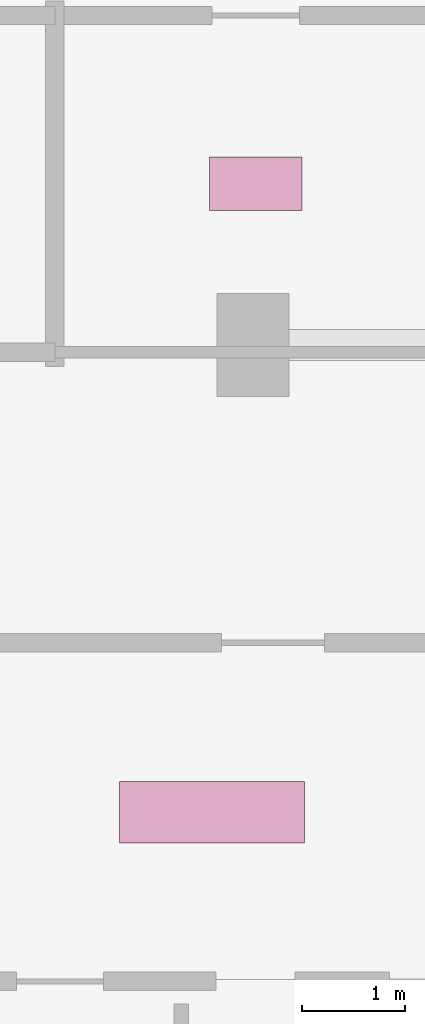
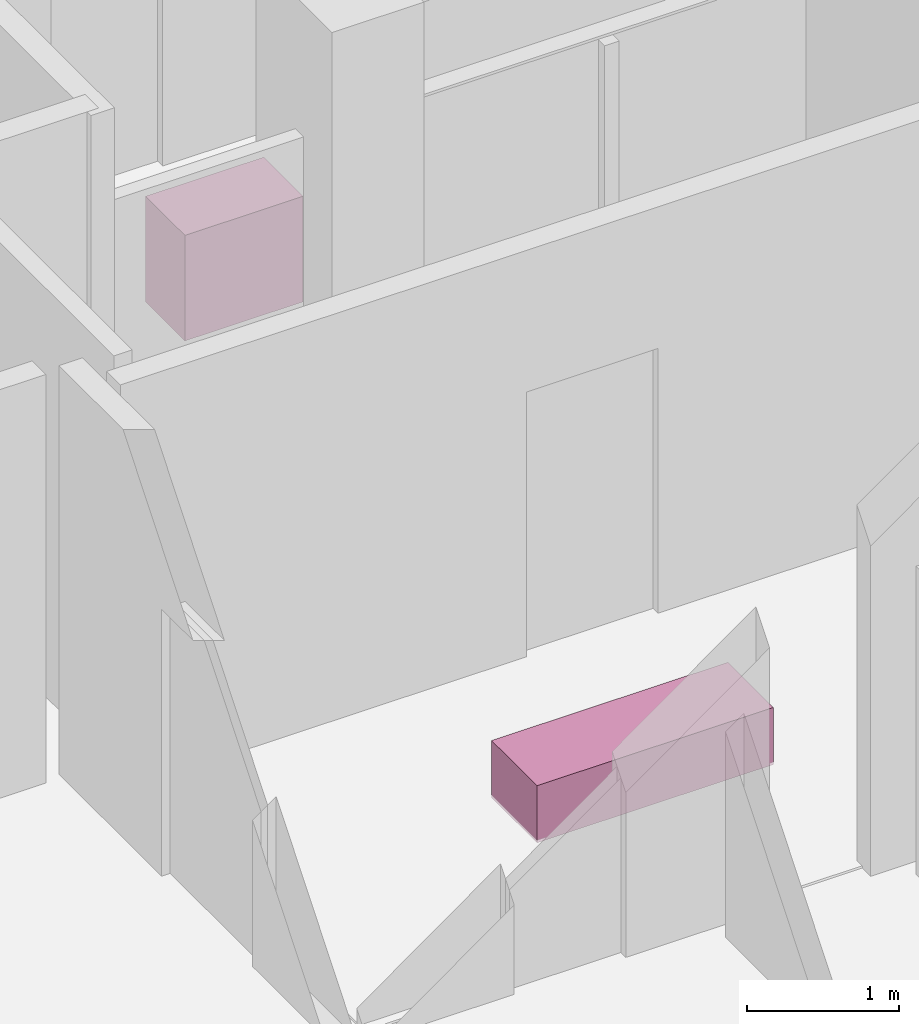
# One storey, part 32 of 32: 2 furnishings.
"""IFC4 building model written with IfcOpenShell, lengths in metres."""

from ifc_helpers import new_model, si_unit, direction, frame, origin, origin_2d, place, context, subcontext, project, spatial, rectangle, extrude, material, type_object, element, save


model = new_model("IFC4")

# Units and contexts
model_context = context("Model", 3, precision=1e-05, world=origin(), true_north=direction((0.0, 1.0)))
body_context = subcontext(model_context, "Body", "Model", "MODEL_VIEW")
ifc_project = project(units=[si_unit("LENGTHUNIT", "METRE"), si_unit("AREAUNIT", "SQUARE_METRE"), si_unit("VOLUMEUNIT", "CUBIC_METRE"), si_unit("PLANEANGLEUNIT", "RADIAN"), si_unit("MASSUNIT", "GRAM", prefix="KILO")], contexts=[model_context])

# Site, building, storey
site_placement = place(None, origin())
site = spatial("IfcSite", under=ifc_project, at=site_placement, CompositionType="ELEMENT")
building_placement = place(site_placement, origin())
building = spatial("IfcBuilding", under=site, at=building_placement, Name="Vorneva Point Tower", CompositionType="ELEMENT")
storey_placement = place(building_placement, frame((0.0, 0.0, 269.75)))
storey = spatial("IfcBuildingStorey", under=building, at=storey_placement, Name="L73", CompositionType="ELEMENT", Elevation=269.75)

# Furnishings
ifc_material_1 = material(Name="Engineered oak fire-rated door leaf", Category="wood")
furniture_type_1 = type_object("IfcFurnitureType", Name="FUR-BNC-1800", AssemblyPlace="NOTDEFINED", PredefinedType="NOTDEFINED", material=ifc_material_1)
furnishing_1_placement = place(storey_placement, frame((35.0, 26.0, -0.0048828125), z_axis=(0.0, 0.0, 1.0), x_axis=(1.0, 0.0, 0.0)))
element("IfcFurnishingElement", 1, at=furnishing_1_placement, inside=storey, type_object=furniture_type_1, Name="L73 Lift Lobby Seating Bench", ObjectType="L73 Lift Lobby Seating Bench", context=body_context, shape_type="SweptSolid", body=[
    extrude(rectangle(XDim=1.800048828125, YDim=0.60009765625, at=origin_2d()), origin(), (0.0, 0.0, 1.0), 0.4599609375),
])
ifc_material_2 = material(Name="Vitreous china and granite top", Category="masonry")
furniture_type_2 = type_object("IfcFurnitureType", Name="FUR-VAN-900", AssemblyPlace="NOTDEFINED", PredefinedType="NOTDEFINED", material=ifc_material_2)
furnishing_2_placement = place(storey_placement, frame((35.425048828125, 32.1201171875, -0.005126953125), z_axis=(0.0, 0.0, 1.0), x_axis=(1.0, 0.0, 0.0)))
element("IfcFurnishingElement", 2, at=furnishing_2_placement, inside=storey, type_object=furniture_type_2, Name="L73 Accessible WC Vanity Unit", ObjectType="L73 Accessible WC Vanity Unit", context=body_context, shape_type="SweptSolid", body=[
    extrude(rectangle(XDim=0.89990234375, YDim=0.52001953125, at=origin_2d()), origin(), (0.0, 0.0, 1.0), 0.85009765625),
])

save(model, "model.ifc")
